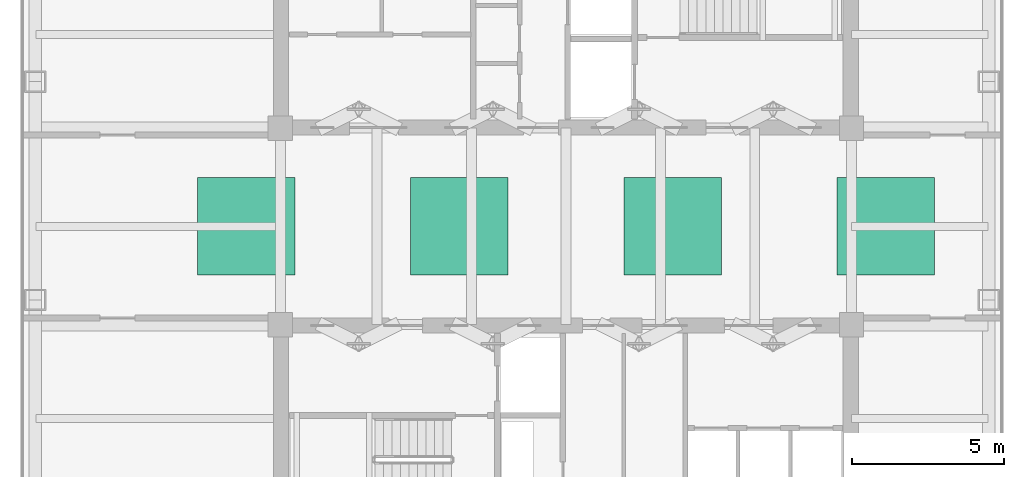
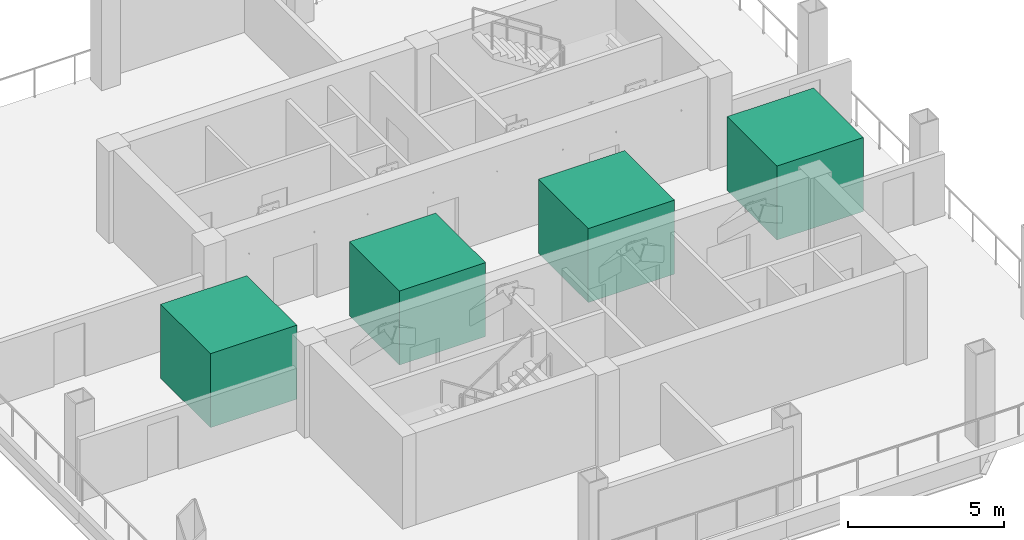
# One storey, part 9 of 9: 4 electric generators.
"""IFC4 building model written with IfcOpenShell, lengths in metres."""

from ifc_helpers import new_model, si_unit, direction, frame, origin, origin_2d, place, context, subcontext, project, spatial, rectangle, extrude, material, type_object, element, save


model = new_model("IFC4")

# Units and contexts
model_context = context("Model", 3, precision=1e-05, world=origin(), true_north=direction((0.0, 1.0)))
body_context = subcontext(model_context, "Body", "Model", "MODEL_VIEW")
ifc_project = project(units=[si_unit("LENGTHUNIT", "METRE"), si_unit("AREAUNIT", "SQUARE_METRE"), si_unit("VOLUMEUNIT", "CUBIC_METRE"), si_unit("PLANEANGLEUNIT", "RADIAN"), si_unit("MASSUNIT", "GRAM", prefix="KILO")], contexts=[model_context])

# Site, building, storey
site_placement = place(None, origin())
site = spatial("IfcSite", under=ifc_project, at=site_placement, CompositionType="ELEMENT")
building_placement = place(site_placement, origin())
building = spatial("IfcBuilding", under=site, at=building_placement, Name="Qhalaya Broadcast Tower", CompositionType="ELEMENT")
storey_placement = place(building_placement, frame((0.0, 0.0, 191.550048828125)))
storey = spatial("IfcBuildingStorey", under=building, at=storey_placement, Name="L56", CompositionType="ELEMENT", Elevation=191.550048828125)

# Electric generators
ifc_material = material(Name="Powder-Coated Galvanised Steel", Category="steel")
electric_generator_type = type_object("IfcElectricGeneratorType", Name="Shrouded Vertical-Axis Wind Turbine WT-GEN", PredefinedType="USERDEFINED", material=ifc_material)
for number, where, z_axis, x_axis, name in (
    (1, (-10.5, 0.60009765625, 0.0), (0.0, 0.0, 1.0), (1.0, 0.0, 0.0), "Vertical-Axis Wind Turbine WT-01"),
    (2, (-3.5, 0.60009765625, 0.0), (0.0, 0.0, 1.0), (1.0, 0.0, 0.0), "Vertical-Axis Wind Turbine WT-02"),
    (3, (3.5, 0.60009765625, 0.0), (0.0, 0.0, 1.0), (1.0, 0.0, 0.0), "Vertical-Axis Wind Turbine WT-03"),
    (4, (10.5, 0.60009765625, 0.0), (0.0, 0.0, 1.0), (1.0, 0.0, 0.0), "Vertical-Axis Wind Turbine WT-04"),
):
    element("IfcElectricGenerator", number, at=place(storey_placement, frame(where, z_axis=z_axis, x_axis=x_axis)), inside=storey, type_object=electric_generator_type, Name=name, ObjectType="WIND TURBINE", PredefinedType="USERDEFINED", context=body_context, shape_type="SweptSolid", body=[
        extrude(rectangle(XDim=3.199951171875, YDim=3.199951171875, at=origin_2d()), origin(), (0.0, 0.0, 1.0), 2.89990234375),
    ])

save(model, "model.ifc")
